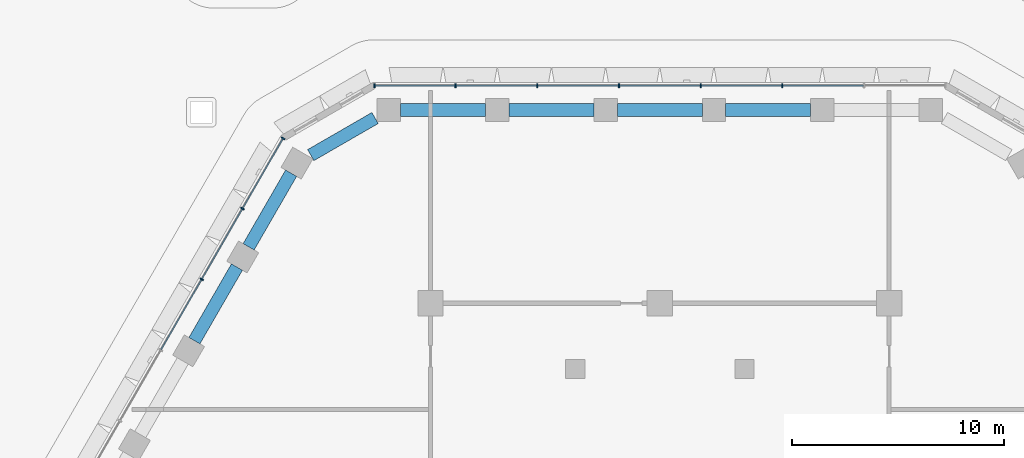
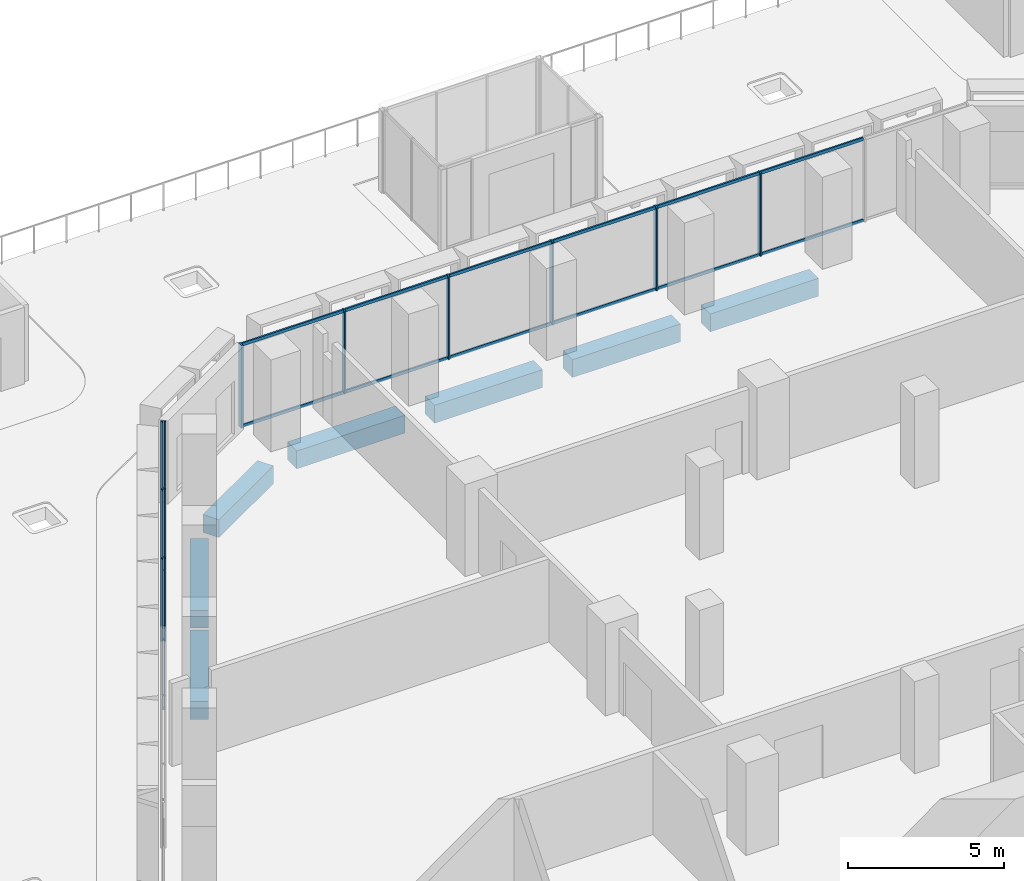
# One storey, part 9 of 38: 27 members, 7 beams, 2 elements without a shape of their own.
"""IFC4 building model written with IfcOpenShell, lengths in metres."""

from ifc_helpers import new_model, si_unit, direction, frame, origin, origin_2d, place, context, subcontext, project, spatial, rectangle, hollow_rectangle, extrude, material, material_profile, profile_set, type_object, element, aggregate, save


model = new_model("IFC4")

# Units and contexts
model_context = context("Model", 3, precision=1e-05, world=origin(), true_north=direction((0.0, 1.0)))
body_context = subcontext(model_context, "Body", "Model", "MODEL_VIEW")
ifc_project = project(units=[si_unit("LENGTHUNIT", "METRE"), si_unit("AREAUNIT", "SQUARE_METRE"), si_unit("VOLUMEUNIT", "CUBIC_METRE"), si_unit("PLANEANGLEUNIT", "RADIAN"), si_unit("MASSUNIT", "GRAM", prefix="KILO")], contexts=[model_context])

# Site, building, storey
site_placement = place(None, origin())
site = spatial("IfcSite", under=ifc_project, at=site_placement, CompositionType="ELEMENT")
building_placement = place(site_placement, origin())
building = spatial("IfcBuilding", under=site, at=building_placement, Name="Beryl Residences", CompositionType="ELEMENT")
storey_placement = place(building_placement, frame((0.0, 0.0, 9.0)))
storey = spatial("IfcBuildingStorey", under=building, at=storey_placement, Name="L02", CompositionType="ELEMENT", Elevation=9.0)

# Curtain wall, members
ifc_material_1 = material(Name="Aluminium and clear glass", Category="aluminium")
curtain_wall_type = type_object("IfcCurtainWallType", Name="CW2 amenity glazing glazed wall", PredefinedType="NOTDEFINED", material=ifc_material_1)
curtain_wall_1_placement = place(storey_placement, origin())
curtain_wall_1 = element("IfcCurtainWall", 1, at=curtain_wall_1_placement, inside=storey, type_object=curtain_wall_type, Name="CW2 L02 N", PredefinedType="NOTDEFINED")
ifc_material_2 = material(Name="Aluminium", Category="aluminium")
ifc_material_profile_1 = material_profile(ifc_material_2, rectangle(XDim=0.06005859375, YDim=0.179931640625, at=origin_2d()))
ifc_profile_set_1 = profile_set([ifc_material_profile_1], Name="Aluminium")
member_type_1 = type_object("IfcMemberType", Name="CW2-M mullion 60 x 180 mm", PredefinedType="MULLION", material=ifc_profile_set_1)
member_1_placement = place(storey_placement, frame((5.77294921875, 28.25, 0.0), z_axis=(0.0, 0.0, 1.0), x_axis=(-1.0, 0.0, 0.0)))
member_1 = element("IfcMember", 2, at=member_1_placement, type_object=member_type_1, Name="CW2 mullion 3", PredefinedType="MULLION", context=body_context, shape_type="SweptSolid", body=[
    extrude(rectangle(XDim=0.06005859375, YDim=0.179931640625, at=origin_2d()), origin(), (0.0, 0.0, 1.0), 3.25),
])
member_2_placement = place(storey_placement, frame((1.92431640625, 28.25, 0.0), z_axis=(0.0, 0.0, 1.0), x_axis=(-1.0, 0.0, 0.0)))
member_2 = element("IfcMember", 3, at=member_2_placement, type_object=member_type_1, Name="CW2 mullion 4", PredefinedType="MULLION", context=body_context, shape_type="SweptSolid", body=[
    extrude(rectangle(XDim=0.06005859375, YDim=0.179931640625, at=origin_2d()), origin(), (0.0, 0.0, 1.0), 3.25),
])
member_3_placement = place(storey_placement, frame((-1.92431640625, 28.25, 0.0), z_axis=(0.0, 0.0, 1.0), x_axis=(-1.0, 0.0, 0.0)))
member_3 = element("IfcMember", 4, at=member_3_placement, type_object=member_type_1, Name="CW2 mullion 5", PredefinedType="MULLION", context=body_context, shape_type="SweptSolid", body=[
    extrude(rectangle(XDim=0.06005859375, YDim=0.179931640625, at=origin_2d()), origin(), (0.0, 0.0, 1.0), 3.25),
])
member_4_placement = place(storey_placement, frame((-5.77294921875, 28.25, 0.0), z_axis=(0.0, 0.0, 1.0), x_axis=(-1.0, 0.0, 0.0)))
member_4 = element("IfcMember", 5, at=member_4_placement, type_object=member_type_1, Name="CW2 mullion 6", PredefinedType="MULLION", context=body_context, shape_type="SweptSolid", body=[
    extrude(rectangle(XDim=0.06005859375, YDim=0.179931640625, at=origin_2d()), origin(), (0.0, 0.0, 1.0), 3.25),
])
member_5_placement = place(storey_placement, frame((-9.621337890625, 28.25, 0.0), z_axis=(0.0, 0.0, 1.0), x_axis=(-1.0, 0.0, 0.0)))
member_5 = element("IfcMember", 6, at=member_5_placement, type_object=member_type_1, Name="CW2 mullion 7", PredefinedType="MULLION", context=body_context, shape_type="SweptSolid", body=[
    extrude(rectangle(XDim=0.06005859375, YDim=0.179931640625, at=origin_2d()), origin(), (0.0, 0.0, 1.0), 3.25),
])
member_6_placement = place(storey_placement, frame((-13.43994140625, 28.25, 0.0), z_axis=(0.0, 0.0, 1.0), x_axis=(-1.0, 0.0, 0.0)))
member_6 = element("IfcMember", 7, at=member_6_placement, type_object=member_type_1, Name="CW2 mullion 8", PredefinedType="MULLION", context=body_context, shape_type="SweptSolid", body=[
    extrude(rectangle(XDim=0.06005859375, YDim=0.179931640625, at=origin_2d()), origin(), (0.0, 0.0, 1.0), 3.25),
])

curtain_wall_2_placement = place(storey_placement, origin())
curtain_wall_2 = element("IfcCurtainWall", 8, at=curtain_wall_2_placement, inside=storey, type_object=curtain_wall_type, Name="CW2 L02 NW", PredefinedType="NOTDEFINED")
member_7_placement = place(storey_placement, frame((-17.7451171875, 25.763916015625, 0.0), z_axis=(0.0, 0.0, 1.0), x_axis=(-0.500011643322, -0.866018681405, 0.0)))
member_7 = element("IfcMember", 9, at=member_7_placement, type_object=member_type_1, Name="CW2 mullion 1", PredefinedType="MULLION", context=body_context, shape_type="SweptSolid", body=[
    extrude(rectangle(XDim=0.06005859375, YDim=0.179931640625, at=origin_2d()), origin(), (0.0, 0.0, 1.0), 3.25),
])
member_8_placement = place(storey_placement, frame((-19.654296875, 22.45703125, 0.0), z_axis=(0.0, 0.0, 1.0), x_axis=(-0.500011643322, -0.866018681405, 0.0)))
member_8 = element("IfcMember", 10, at=member_8_placement, type_object=member_type_1, Name="CW2 mullion 2", PredefinedType="MULLION", context=body_context, shape_type="SweptSolid", body=[
    extrude(rectangle(XDim=0.06005859375, YDim=0.179931640625, at=origin_2d()), origin(), (0.0, 0.0, 1.0), 3.25),
])
member_9_placement = place(storey_placement, frame((-21.57861328125, 19.124267578125, 0.0), z_axis=(0.0, 0.0, 1.0), x_axis=(-0.500011643322, -0.866018681405, 0.0)))
member_9 = element("IfcMember", 11, at=member_9_placement, type_object=member_type_1, Name="CW2 mullion 3", PredefinedType="MULLION", context=body_context, shape_type="SweptSolid", body=[
    extrude(rectangle(XDim=0.06005859375, YDim=0.179931640625, at=origin_2d()), origin(), (0.0, 0.0, 1.0), 3.25),
])

# Member
ifc_material_3 = material(Name="Aluminium", Category="aluminium")
ifc_material_profile_2 = material_profile(ifc_material_3, hollow_rectangle(XDim=0.06005859375, YDim=0.1201171875, WallThickness=0.00390625, at=origin_2d()))
ifc_profile_set_2 = profile_set([ifc_material_profile_2], Name="Aluminium")
member_type_2 = type_object("IfcMemberType", Name="CW2-T transom 60 x 120 mm", PredefinedType="USERDEFINED", material=ifc_profile_set_2)
member_10_placement = place(storey_placement, frame((9.59130859375, 28.25, 0.030029296875), z_axis=(-1.0, 0.0, 0.0), x_axis=(0.0, -1.0, 0.0)))
member_10 = element("IfcMember", 12, at=member_10_placement, type_object=member_type_2, Name="CW2 transom 2.1", ObjectType="TRANSOM", PredefinedType="USERDEFINED", context=body_context, shape_type="SweptSolid", body=[
    extrude(hollow_rectangle(XDim=0.06005859375, YDim=0.1201171875, WallThickness=0.00390625, at=origin_2d()), origin(), (0.0, 0.0, 1.0), 3.788330078125),
])

member_11_placement = place(storey_placement, frame((9.59130859375, 28.25, 3.219970703125), z_axis=(-1.0, 0.0, 0.0), x_axis=(0.0, -1.0, 0.0)))
member_11 = element("IfcMember", 13, at=member_11_placement, type_object=member_type_2, Name="CW2 transom 2.2", ObjectType="TRANSOM", PredefinedType="USERDEFINED", context=body_context, shape_type="SweptSolid", body=[
    extrude(hollow_rectangle(XDim=0.06005859375, YDim=0.1201171875, WallThickness=0.00390625, at=origin_2d()), origin(), (0.0, 0.0, 1.0), 3.788330078125),
])

member_12_placement = place(storey_placement, frame((5.742919921875, 28.25, 0.030029296875), z_axis=(-1.0, 0.0, 0.0), x_axis=(0.0, -1.0, 0.0)))
member_12 = element("IfcMember", 14, at=member_12_placement, type_object=member_type_2, Name="CW2 transom 3.1", ObjectType="TRANSOM", PredefinedType="USERDEFINED", context=body_context, shape_type="SweptSolid", body=[
    extrude(hollow_rectangle(XDim=0.06005859375, YDim=0.1201171875, WallThickness=0.00390625, at=origin_2d()), origin(), (0.0, 0.0, 1.0), 3.78857421875),
])

member_13_placement = place(storey_placement, frame((5.742919921875, 28.25, 3.219970703125), z_axis=(-1.0, 0.0, 0.0), x_axis=(0.0, -1.0, 0.0)))
member_13 = element("IfcMember", 15, at=member_13_placement, type_object=member_type_2, Name="CW2 transom 3.2", ObjectType="TRANSOM", PredefinedType="USERDEFINED", context=body_context, shape_type="SweptSolid", body=[
    extrude(hollow_rectangle(XDim=0.06005859375, YDim=0.1201171875, WallThickness=0.00390625, at=origin_2d()), origin(), (0.0, 0.0, 1.0), 3.78857421875),
])

member_14_placement = place(storey_placement, frame((1.894287109375, 28.25, 0.030029296875), z_axis=(-1.0, 0.0, 0.0), x_axis=(0.0, -1.0, 0.0)))
member_14 = element("IfcMember", 16, at=member_14_placement, type_object=member_type_2, Name="CW2 transom 4.1", ObjectType="TRANSOM", PredefinedType="USERDEFINED", context=body_context, shape_type="SweptSolid", body=[
    extrude(hollow_rectangle(XDim=0.06005859375, YDim=0.1201171875, WallThickness=0.00390625, at=origin_2d()), origin(), (0.0, 0.0, 1.0), 3.78857421875),
])

member_15_placement = place(storey_placement, frame((1.894287109375, 28.25, 3.219970703125), z_axis=(-1.0, 0.0, 0.0), x_axis=(0.0, -1.0, 0.0)))
member_15 = element("IfcMember", 17, at=member_15_placement, type_object=member_type_2, Name="CW2 transom 4.2", ObjectType="TRANSOM", PredefinedType="USERDEFINED", context=body_context, shape_type="SweptSolid", body=[
    extrude(hollow_rectangle(XDim=0.06005859375, YDim=0.1201171875, WallThickness=0.00390625, at=origin_2d()), origin(), (0.0, 0.0, 1.0), 3.78857421875),
])

member_16_placement = place(storey_placement, frame((-1.954345703125, 28.25, 0.030029296875), z_axis=(-1.0, 0.0, 0.0), x_axis=(0.0, -1.0, 0.0)))
member_16 = element("IfcMember", 18, at=member_16_placement, type_object=member_type_2, Name="CW2 transom 5.1", ObjectType="TRANSOM", PredefinedType="USERDEFINED", context=body_context, shape_type="SweptSolid", body=[
    extrude(hollow_rectangle(XDim=0.06005859375, YDim=0.1201171875, WallThickness=0.00390625, at=origin_2d()), origin(), (0.0, 0.0, 1.0), 3.78857421875),
])

member_17_placement = place(storey_placement, frame((-1.954345703125, 28.25, 3.219970703125), z_axis=(-1.0, 0.0, 0.0), x_axis=(0.0, -1.0, 0.0)))
member_17 = element("IfcMember", 19, at=member_17_placement, type_object=member_type_2, Name="CW2 transom 5.2", ObjectType="TRANSOM", PredefinedType="USERDEFINED", context=body_context, shape_type="SweptSolid", body=[
    extrude(hollow_rectangle(XDim=0.06005859375, YDim=0.1201171875, WallThickness=0.00390625, at=origin_2d()), origin(), (0.0, 0.0, 1.0), 3.78857421875),
])

member_18_placement = place(storey_placement, frame((-5.802978515625, 28.25, 0.030029296875), z_axis=(-1.0, 0.0, 0.0), x_axis=(0.0, -1.0, 0.0)))
member_18 = element("IfcMember", 20, at=member_18_placement, type_object=member_type_2, Name="CW2 transom 6.1", ObjectType="TRANSOM", PredefinedType="USERDEFINED", context=body_context, shape_type="SweptSolid", body=[
    extrude(hollow_rectangle(XDim=0.06005859375, YDim=0.1201171875, WallThickness=0.00390625, at=origin_2d()), origin(), (0.0, 0.0, 1.0), 3.788330078125),
])

member_19_placement = place(storey_placement, frame((-5.802978515625, 28.25, 3.219970703125), z_axis=(-1.0, 0.0, 0.0), x_axis=(0.0, -1.0, 0.0)))
member_19 = element("IfcMember", 21, at=member_19_placement, type_object=member_type_2, Name="CW2 transom 6.2", ObjectType="TRANSOM", PredefinedType="USERDEFINED", context=body_context, shape_type="SweptSolid", body=[
    extrude(hollow_rectangle(XDim=0.06005859375, YDim=0.1201171875, WallThickness=0.00390625, at=origin_2d()), origin(), (0.0, 0.0, 1.0), 3.788330078125),
])

member_20_placement = place(storey_placement, frame((-9.6513671875, 28.25, 0.030029296875), z_axis=(-1.0, 0.0, 0.0), x_axis=(0.0, -1.0, 0.0)))
member_20 = element("IfcMember", 22, at=member_20_placement, type_object=member_type_2, Name="CW2 transom 7.1", ObjectType="TRANSOM", PredefinedType="USERDEFINED", context=body_context, shape_type="SweptSolid", body=[
    extrude(hollow_rectangle(XDim=0.06005859375, YDim=0.1201171875, WallThickness=0.00390625, at=origin_2d()), origin(), (0.0, 0.0, 1.0), 3.758544921875),
])

member_21_placement = place(storey_placement, frame((-9.6513671875, 28.25, 3.219970703125), z_axis=(-1.0, 0.0, 0.0), x_axis=(0.0, -1.0, 0.0)))
member_21 = element("IfcMember", 23, at=member_21_placement, type_object=member_type_2, Name="CW2 transom 7.2", ObjectType="TRANSOM", PredefinedType="USERDEFINED", context=body_context, shape_type="SweptSolid", body=[
    extrude(hollow_rectangle(XDim=0.06005859375, YDim=0.1201171875, WallThickness=0.00390625, at=origin_2d()), origin(), (0.0, 0.0, 1.0), 3.758544921875),
])

aggregate(curtain_wall_1, [member_1, member_2, member_3, member_4, member_5, member_6, member_10, member_11, member_12, member_13, member_14, member_15, member_16, member_17, member_18, member_19, member_20, member_21])

member_22_placement = place(storey_placement, frame((-17.760009765625, 25.738037109375, 0.030029296875), z_axis=(-0.500037327496, -0.866003851672, 0.0), x_axis=(0.866003851672, -0.500037327496, 0.0)))
member_22 = element("IfcMember", 24, at=member_22_placement, type_object=member_type_2, Name="CW2 transom 1.1", ObjectType="TRANSOM", PredefinedType="USERDEFINED", context=body_context, shape_type="SweptSolid", body=[
    extrude(hollow_rectangle(XDim=0.06005859375, YDim=0.1201171875, WallThickness=0.00390625, at=origin_2d()), origin(), (0.0, 0.0, 1.0), 3.758544921875),
])

member_23_placement = place(storey_placement, frame((-17.760009765625, 25.738037109375, 3.219970703125), z_axis=(-0.500037327496, -0.866003851672, 0.0), x_axis=(0.866003851672, -0.500037327496, 0.0)))
member_23 = element("IfcMember", 25, at=member_23_placement, type_object=member_type_2, Name="CW2 transom 1.2", ObjectType="TRANSOM", PredefinedType="USERDEFINED", context=body_context, shape_type="SweptSolid", body=[
    extrude(hollow_rectangle(XDim=0.06005859375, YDim=0.1201171875, WallThickness=0.00390625, at=origin_2d()), origin(), (0.0, 0.0, 1.0), 3.758544921875),
])

member_24_placement = place(storey_placement, frame((-19.669189453125, 22.43115234375, 0.030029296875), z_axis=(-0.499999503755, -0.866025690291, 0.0), x_axis=(0.866025690291, -0.499999503755, 0.0)))
member_24 = element("IfcMember", 26, at=member_24_placement, type_object=member_type_2, Name="CW2 transom 2.1", ObjectType="TRANSOM", PredefinedType="USERDEFINED", context=body_context, shape_type="SweptSolid", body=[
    extrude(hollow_rectangle(XDim=0.06005859375, YDim=0.1201171875, WallThickness=0.00390625, at=origin_2d()), origin(), (0.0, 0.0, 1.0), 3.78857421875),
])

member_25_placement = place(storey_placement, frame((-19.669189453125, 22.43115234375, 3.219970703125), z_axis=(-0.499999503755, -0.866025690291, 0.0), x_axis=(0.866025690291, -0.499999503755, 0.0)))
member_25 = element("IfcMember", 27, at=member_25_placement, type_object=member_type_2, Name="CW2 transom 2.2", ObjectType="TRANSOM", PredefinedType="USERDEFINED", context=body_context, shape_type="SweptSolid", body=[
    extrude(hollow_rectangle(XDim=0.06005859375, YDim=0.1201171875, WallThickness=0.00390625, at=origin_2d()), origin(), (0.0, 0.0, 1.0), 3.78857421875),
])

member_26_placement = place(storey_placement, frame((-21.593505859375, 19.098388671875, 0.030029296875), z_axis=(-0.499999503755, -0.866025690291, 0.0), x_axis=(0.866025690291, -0.499999503755, 0.0)))
member_26 = element("IfcMember", 28, at=member_26_placement, type_object=member_type_2, Name="CW2 transom 3.1", ObjectType="TRANSOM", PredefinedType="USERDEFINED", context=body_context, shape_type="SweptSolid", body=[
    extrude(hollow_rectangle(XDim=0.06005859375, YDim=0.1201171875, WallThickness=0.00390625, at=origin_2d()), origin(), (0.0, 0.0, 1.0), 3.78857421875),
])

member_27_placement = place(storey_placement, frame((-21.593505859375, 19.098388671875, 3.219970703125), z_axis=(-0.499999503755, -0.866025690291, 0.0), x_axis=(0.866025690291, -0.499999503755, 0.0)))
member_27 = element("IfcMember", 29, at=member_27_placement, type_object=member_type_2, Name="CW2 transom 3.2", ObjectType="TRANSOM", PredefinedType="USERDEFINED", context=body_context, shape_type="SweptSolid", body=[
    extrude(hollow_rectangle(XDim=0.06005859375, YDim=0.1201171875, WallThickness=0.00390625, at=origin_2d()), origin(), (0.0, 0.0, 1.0), 3.78857421875),
])

aggregate(curtain_wall_2, [member_7, member_8, member_9, member_22, member_23, member_24, member_25, member_26, member_27])

# Beams
ifc_material_4 = material(Name="Concrete C80/95", Category="concrete")
ifc_material_profile_3 = material_profile(ifc_material_4, rectangle(XDim=0.60009765625, YDim=0.699951171875, at=origin_2d()))
ifc_profile_set_3 = profile_set([ifc_material_profile_3], Name="Concrete C80/95")
beam_type = type_object("IfcBeamType", Name="SB1 spandrel beam 600 x 700 C80/95", PredefinedType="SPANDREL", material=ifc_profile_set_3)
for number, where, z_axis, x_axis, name in (
    (30, (7.10498046875, 27.10009765625, -0.85009765625), (-1.0, 0.0, 0.0), (0.0, -1.0, 0.0), "SB1 L02 N-1"),
    (31, (2.0009765625, 27.10009765625, -0.85009765625), (-1.0, 0.0, 0.0), (0.0, -1.0, 0.0), "SB1 L02 N-2"),
    (32, (-3.10302734375, 27.10009765625, -0.85009765625), (-1.0, 0.0, 0.0), (0.0, -1.0, 0.0), "SB1 L02 N-3"),
    (33, (-8.20703125, 27.10009765625, -0.85009765625), (-1.0, 0.0, 0.0), (0.0, -1.0, 0.0), "SB1 L02 N-4"),
):
    element("IfcBeam", number, at=place(storey_placement, frame(where, z_axis=z_axis, x_axis=x_axis)), inside=storey, type_object=beam_type, Name=name, PredefinedType="SPANDREL", context=body_context, shape_type="SweptSolid", body=[
        extrude(rectangle(XDim=0.60009765625, YDim=0.699951171875, at=origin_2d()), origin(), (0.0, 0.0, 1.0), 4.00390625),
    ])
beam_1_placement = place(storey_placement, frame((-13.410888671875, 26.72412109375, -0.85009765625), z_axis=(-0.866121658299, -0.499833245218, 0.0), x_axis=(0.499833245218, -0.866121658299, 0.0)))
element("IfcBeam", 34, at=beam_1_placement, inside=storey, type_object=beam_type, Name="SB1 L02 N-5", PredefinedType="SPANDREL", context=body_context, shape_type="SweptSolid", body=[
    extrude(rectangle(XDim=0.60009765625, YDim=0.699951171875, at=origin_2d()), origin(), (0.0, 0.0, 1.0), 3.497314453125),
])
beam_2_placement = place(storey_placement, frame((-17.364990234375, 24.1240234375, -0.85009765625), z_axis=(-0.499942357345, -0.866058681229, 0.0), x_axis=(0.866058681229, -0.499942357345, 0.0)))
element("IfcBeam", 35, at=beam_2_placement, inside=storey, type_object=beam_type, Name="SB1 L02 NW-0", PredefinedType="SPANDREL", context=body_context, shape_type="SweptSolid", body=[
    extrude(rectangle(XDim=0.60009765625, YDim=0.699951171875, at=origin_2d()), origin(), (0.0, 0.0, 1.0), 4.00439453125),
])
beam_3_placement = place(storey_placement, frame((-19.9169921875, 19.7041015625, -0.85009765625), z_axis=(-0.499836783367, -0.866119616446, 0.0), x_axis=(0.866119616446, -0.499836783367, 0.0)))
element("IfcBeam", 36, at=beam_3_placement, inside=storey, type_object=beam_type, Name="SB1 L02 NW-1", PredefinedType="SPANDREL", context=body_context, shape_type="SweptSolid", body=[
    extrude(rectangle(XDim=0.60009765625, YDim=0.699951171875, at=origin_2d()), origin(), (0.0, 0.0, 1.0), 4.005126953125),
])

save(model, "model.ifc")
